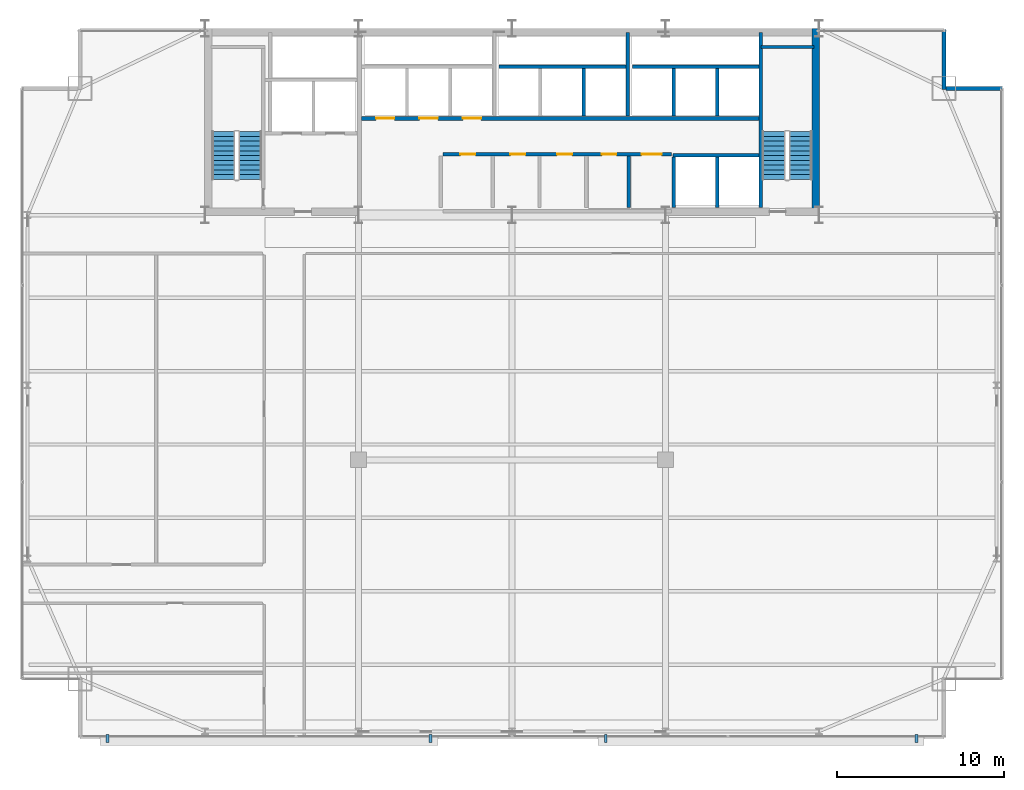
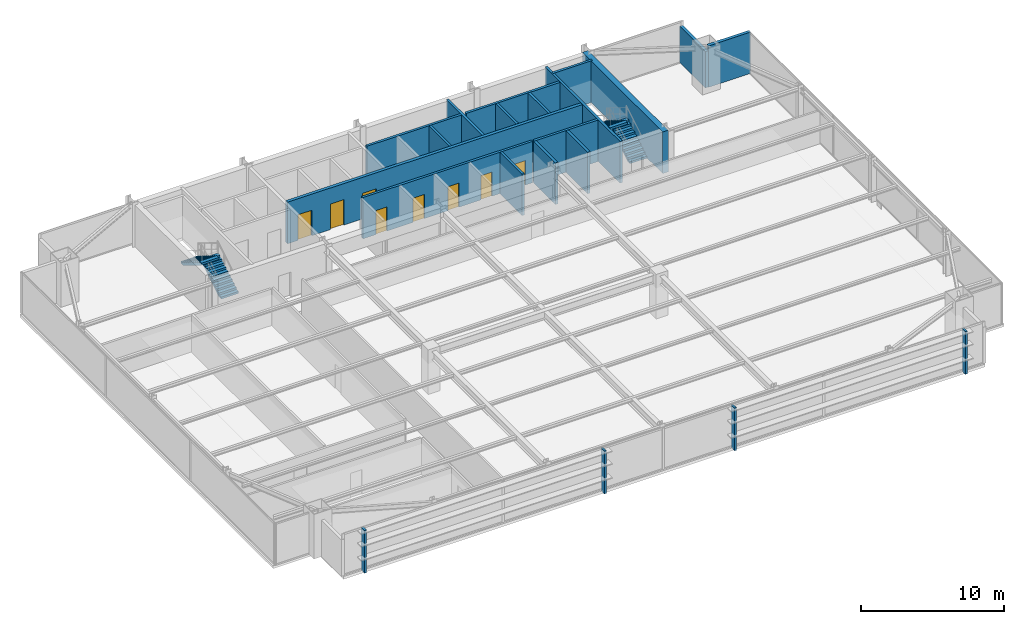
# One storey, part 30 of 32: 17 walls, 8 doors, 4 discrete accessories, 4 stair flights, 8 openings, 2 elements without a shape of their own.
"""IFC4 building model written with IfcOpenShell, lengths in metres."""

import ifcopenshell
import ifcopenshell.guid

model = None  # the IFC model being written
_history = None  # IfcOwnerHistory: only IFC2X3 demands one
_inside = {}  # id of a spatial element -> (the spatial element, [elements in it])
_under = {}  # id of a project, library or spatial element -> (it, [spatial elements below it])
_declared = {}  # id of a project -> (the project, [libraries it declares])
_typed = {}  # id of a type object -> (the type object, [elements of that type])
_made_of = {}  # id of a material, layer set ... -> (it, [elements and type objects made of it])


def new_model(schema):
    """Start an empty IFC model of exactly this schema.

    Asked for "IFC4X3", IfcOpenShell would pick the latest addendum, in which some entities
    have other attributes; the version numbers below select the first issue.
    IFC2X3 requires an IfcOwnerHistory on every rooted entity: one is made here for all.
    """
    global model, _history
    if schema == "IFC4X3":
        model = ifcopenshell.file(schema_version=(4, 3, 0, 0))
    else:
        model = ifcopenshell.file(schema=schema)
    _inside.clear()
    _under.clear()
    _declared.clear()
    _typed.clear()
    _made_of.clear()
    _history = None
    if model.schema == "IFC2X3":
        org = make("IfcOrganization", Name="unknown")
        user = make(
            "IfcPersonAndOrganization",
            ThePerson=make("IfcPerson", FamilyName="unknown"),
            TheOrganization=org,
        )
        app = make(
            "IfcApplication",
            ApplicationDeveloper=org,
            Version="unknown",
            ApplicationFullName="unknown",
            ApplicationIdentifier="unknown",
        )
        _history = make(
            "IfcOwnerHistory",
            OwningUser=user,
            OwningApplication=app,
            ChangeAction="ADDED",
            CreationDate=0,
        )
    return model


def make(cls, **values):
    """One entity of the class cls with the attributes given. An attribute that is None is left unset."""
    return model.create_entity(
        cls, **{name: value for name, value in values.items() if value is not None}
    )


def rooted(cls, **values):
    """An entity with a GlobalId (a new one), such as an element, a storey or a relation."""
    return make(cls, GlobalId=ifcopenshell.guid.new(), OwnerHistory=_history, **values)


def si_unit(unit_type, name, prefix=None):
    """IfcSIUnit, for example si_unit("LENGTHUNIT", "METRE", prefix="MILLI")."""
    return make("IfcSIUnit", UnitType=unit_type, Prefix=prefix, Name=name)


def assignment(units):
    """IfcUnitAssignment: the units of a project."""
    return None if units is None else make("IfcUnitAssignment", Units=units)


def point(xyz):
    """IfcCartesianPoint."""
    return None if xyz is None else make("IfcCartesianPoint", Coordinates=xyz)


def direction(xyz):
    """IfcDirection."""
    return None if xyz is None else make("IfcDirection", DirectionRatios=xyz)


def frame(location, z_axis=None, x_axis=None):
    """IfcAxis2Placement3D, a coordinate frame: its origin and axes. An axis left out is left unset."""
    return make(
        "IfcAxis2Placement3D",
        Location=point(location),
        Axis=direction(z_axis),
        RefDirection=direction(x_axis),
    )


def frame_2d(location, x_axis=None):
    """IfcAxis2Placement2D, a coordinate frame in the plane: its origin and x axis."""
    return make(
        "IfcAxis2Placement2D", Location=point(location), RefDirection=direction(x_axis)
    )


def origin():
    """The frame at (0, 0, 0) with its axes left unset."""
    return frame((0.0, 0.0, 0.0))


def origin_2d():
    """The frame at (0, 0) in the plane with its x axis left unset."""
    return frame_2d((0.0, 0.0))


def place(relative_to, where):
    """IfcLocalPlacement: puts the frame where relative to a parent placement (None: the world)."""
    return make(
        "IfcLocalPlacement", PlacementRelTo=relative_to, RelativePlacement=where
    )


def context(
    kind, dimensions, precision=None, world=None, true_north=None, identifier=None
):
    """IfcGeometricRepresentationContext, for example the 3D "Model" context."""
    return make(
        "IfcGeometricRepresentationContext",
        ContextIdentifier=identifier,
        ContextType=kind,
        CoordinateSpaceDimension=dimensions,
        Precision=precision,
        WorldCoordinateSystem=world,
        TrueNorth=true_north,
    )


def subcontext(parent, identifier, kind, view, scale=None):
    """IfcGeometricRepresentationSubContext, for example "Body" below "Model"."""
    return make(
        "IfcGeometricRepresentationSubContext",
        ContextIdentifier=identifier,
        ContextType=kind,
        ParentContext=parent,
        TargetScale=scale,
        TargetView=view,
    )


def project(units=None, contexts=None):
    """IfcProject with its units and contexts."""
    return rooted(
        "IfcProject",
        Name="project",
        RepresentationContexts=contexts,
        UnitsInContext=assignment(units),
    )


def spatial(cls, under=None, at=None, **own):
    """A site, building, storey or space (cls), placed at a placement, below another one or the project."""
    s = rooted(cls, ObjectPlacement=at, **own)
    if under is not None:
        _under.setdefault(under.id(), (under, []))[1].append(s)
    return s


def polyline(points):
    """IfcPolyline through the points."""
    return make("IfcPolyline", Points=[point(p) for p in points])


def profile(cls, at=None, kind="AREA", **sizes):
    """A parametric profile (cls). Its sizes go by their IFC names, for example OverallWidth=200.0."""
    return make(cls, ProfileType=kind, Position=at, **sizes)


def rectangle(**sizes):
    """IfcRectangleProfileDef."""
    return profile("IfcRectangleProfileDef", **sizes)


def outline(outer, holes=None, kind="AREA"):
    """IfcArbitraryClosedProfileDef: a profile drawn as a closed curve; with holes, ...WithVoids."""
    if holes is None:
        return make("IfcArbitraryClosedProfileDef", ProfileType=kind, OuterCurve=outer)
    return make(
        "IfcArbitraryProfileDefWithVoids",
        ProfileType=kind,
        OuterCurve=outer,
        InnerCurves=holes,
    )


def extrude(swept, where, along, depth):
    """IfcExtrudedAreaSolid: the profile swept, set in the frame where, extruded along a direction by depth."""
    return make(
        "IfcExtrudedAreaSolid",
        SweptArea=swept,
        Position=where,
        ExtrudedDirection=direction(along),
        Depth=depth,
    )


def shape(context_of_items, identifier, shape_type, items):
    """IfcShapeRepresentation: the items that make up one representation, for example the "Body"."""
    return make(
        "IfcShapeRepresentation",
        ContextOfItems=context_of_items,
        RepresentationIdentifier=identifier,
        RepresentationType=shape_type,
        Items=items,
    )


def source(mapping_origin, context_of_items, identifier, shape_type, items):
    """IfcRepresentationMap: a shape defined once, which mapped items show again and again."""
    return make(
        "IfcRepresentationMap",
        MappingOrigin=mapping_origin,
        MappedRepresentation=shape(context_of_items, identifier, shape_type, items),
    )


def transform(
    local_origin,
    x_axis=None,
    y_axis=None,
    z_axis=None,
    scale=None,
    scale2=None,
    scale3=None,
    uniform=True,
):
    """IfcCartesianTransformationOperator3D, or its non-uniform kind. x_axis, y_axis, z_axis: its Axis1, 2, 3."""
    if uniform:
        return make(
            "IfcCartesianTransformationOperator3D",
            Axis1=direction(x_axis),
            Axis2=direction(y_axis),
            LocalOrigin=point(local_origin),
            Scale=scale,
            Axis3=direction(z_axis),
        )
    return make(
        "IfcCartesianTransformationOperator3DnonUniform",
        Axis1=direction(x_axis),
        Axis2=direction(y_axis),
        LocalOrigin=point(local_origin),
        Scale=scale,
        Axis3=direction(z_axis),
        Scale2=scale2,
        Scale3=scale3,
    )


def mapped(mapping_source, mapping_target):
    """IfcMappedItem: shows the shape of a source again, moved by a transform."""
    return make(
        "IfcMappedItem", MappingSource=mapping_source, MappingTarget=mapping_target
    )


def material(Name=None, Category=None):
    """IfcMaterial."""
    return make("IfcMaterial", Name=Name, Category=Category)


def layer(
    of_material, thickness, ventilated=None, Name=None, Category=None, Priority=None
):
    """IfcMaterialLayer: one layer of a wall or slab, of a material (None: an air gap)."""
    return make(
        "IfcMaterialLayer",
        Material=of_material,
        LayerThickness=thickness,
        IsVentilated=ventilated,
        Name=Name,
        Category=Category,
        Priority=Priority,
    )


def layer_set(layers, Name=None):
    """IfcMaterialLayerSet."""
    return make("IfcMaterialLayerSet", MaterialLayers=layers, LayerSetName=Name)


def made_of(thing, what):
    """Note that an element or type object is made of a material, layer set ...; save() writes the relation."""
    if what is not None:
        _made_of.setdefault(what.id(), (what, []))[1].append(thing)
    return thing


def type_object(cls, material=None, **own):
    """A type object (cls), such as IfcWallType, which elements share."""
    return made_of(rooted(cls, **own), material)


def type_shapes(of_type, sources):
    """Give a type object the sources (RepresentationMaps) that its elements show as mapped items."""
    of_type.RepresentationMaps = sources


def element(
    cls,
    number,
    at=None,
    inside=None,
    cuts=None,
    type_object=None,
    material=None,
    context=None,
    identifier="Body",
    shape_type=None,
    held_by="IfcProductDefinitionShape",
    body=None,
    shapes=None,
    **own,
):
    """One element of the class cls, such as IfcWall. Its Tag is "e" and its number.

    at: its placement. inside: the storey or other place that contains it. cuts: it is an
    opening in that element (IfcRelVoidsElement). A single representation is given by context,
    identifier, shape_type and body (its items); several are given by shapes. held_by: the class
    of the entity that holds the representations. save() writes the other relations.
    """
    e = rooted(cls, Tag="e%d" % number, ObjectPlacement=at, **own)
    if body is not None:
        shapes = [shape(context, identifier, shape_type, body)]
    if shapes is not None:
        e.Representation = make(held_by, Representations=shapes)
    if inside is not None:
        _inside.setdefault(inside.id(), (inside, []))[1].append(e)
    if cuts is not None:
        rooted(
            "IfcRelVoidsElement", RelatingBuildingElement=cuts, RelatedOpeningElement=e
        )
    if type_object is not None:
        _typed.setdefault(type_object.id(), (type_object, []))[1].append(e)
    return made_of(e, material)


def fill(opening, filler):
    """IfcRelFillsElement: the door or window that sits in an opening."""
    return rooted(
        "IfcRelFillsElement",
        RelatingOpeningElement=opening,
        RelatedBuildingElement=filler,
    )


def aggregate(whole, parts):
    """IfcRelAggregates: a whole, such as a stair, and the parts it consists of."""
    return rooted("IfcRelAggregates", RelatingObject=whole, RelatedObjects=parts)


def save(model, path):
    """Write the relations noted so far, then the file.

    IfcRelAggregates (storeys below a building ...), IfcRelContainedInSpatialStructure (elements
    in a storey), IfcRelDefinesByType, IfcRelAssociatesMaterial and IfcRelDeclares: one each for
    every whole, place, type object, material and project.
    """
    for whole, parts in _under.values():
        aggregate(whole, parts)
    for where, things in _inside.values():
        rooted(
            "IfcRelContainedInSpatialStructure",
            RelatedElements=things,
            RelatingStructure=where,
        )
    for kind, things in _typed.values():
        rooted("IfcRelDefinesByType", RelatedObjects=things, RelatingType=kind)
    for what, things in _made_of.values():
        rooted("IfcRelAssociatesMaterial", RelatedObjects=things, RelatingMaterial=what)
    for by, libraries in _declared.values():
        rooted("IfcRelDeclares", RelatingContext=by, RelatedDefinitions=libraries)
    model.write(path)


model = new_model("IFC4")

# Units and contexts
model_context = context("Model", 3, precision=1e-05, world=origin(), true_north=direction((0.0, 1.0)))
body_context = subcontext(model_context, "Body", "Model", "MODEL_VIEW")
ifc_project = project(units=[si_unit("LENGTHUNIT", "METRE"), si_unit("AREAUNIT", "SQUARE_METRE"), si_unit("VOLUMEUNIT", "CUBIC_METRE"), si_unit("PLANEANGLEUNIT", "RADIAN"), si_unit("MASSUNIT", "GRAM", prefix="KILO")], contexts=[model_context])

# Site, building, storey
site_placement = place(None, origin())
site = spatial("IfcSite", under=ifc_project, at=site_placement, CompositionType="ELEMENT")
building_placement = place(site_placement, origin())
building = spatial("IfcBuilding", under=site, at=building_placement, Name="Varnel Quay Broadcast Tower", CompositionType="ELEMENT")
storey_placement = place(building_placement, frame((0.0, 0.0, 90.800048828125)))
storey = spatial("IfcBuildingStorey", under=building, at=storey_placement, Name="L21", CompositionType="ELEMENT", Elevation=90.800048828125)

# Walls
ifc_material_1 = material(Name="Concrete CSA A23.3 C50/60", Category="concrete")
ifc_layer_1 = layer(ifc_material_1, 0.199951171875, Name="Concrete CSA A23.3 C50/60")
ifc_layer_set_1 = layer_set([ifc_layer_1], Name="Concrete CSA A23.3 C50/60")
wall_type_1 = type_object("IfcWallType", Name="Wall_CoreShaftShear200", PredefinedType="SHEAR", material=ifc_layer_set_1)
wall_1_placement = place(storey_placement, frame((48.919921875, 36.050048828125, 0.0), z_axis=(0.0, 0.0, 1.0), x_axis=(0.0, 1.0, 0.0)))
element("IfcWall", 1, at=wall_1_placement, inside=storey, type_object=wall_type_1, Name="L21 Stair 2 West Structural Wall", PredefinedType="SHEAR", context=body_context, shape_type="SweptSolid", body=[
    extrude(rectangle(XDim=10.5, YDim=0.199951171875, at=frame_2d((5.25, 0.0))), origin(), (0.0, 0.0, 1.0), 3.550048828125),
])
wall_2_placement = place(storey_placement, frame((48.919921875, 45.679931640625, 0.0), z_axis=(0.0, 0.0, 1.0), x_axis=(1.0, 0.0, 0.0)))
element("IfcWall", 2, at=wall_2_placement, inside=storey, type_object=wall_type_1, Name="L21 Stair 2 North Structural Wall", PredefinedType="SHEAR", context=body_context, shape_type="SweptSolid", body=[
    extrude(rectangle(XDim=3.18017578125, YDim=0.199951171875, at=frame_2d((1.590087890625, 0.0))), origin(), (0.0, 0.0, 1.0), 3.550048828125),
])
wall_3_placement = place(storey_placement, frame((33.219970703125, 44.5, 0.0), z_axis=(0.0, 0.0, 1.0), x_axis=(1.0, 0.0, 0.0)))
element("IfcWall", 3, at=wall_3_placement, inside=storey, type_object=wall_type_1, Name="L21 Mid-Rise Lift Shaft Rear Wall", PredefinedType="SHEAR", context=body_context, shape_type="SweptSolid", body=[
    extrude(rectangle(XDim=7.630126953125, YDim=0.199951171875, at=frame_2d((3.81494140625, 0.0))), origin(), (0.0, 0.0, 1.0), 3.550048828125),
])
wall_4_placement = place(storey_placement, frame((38.300048828125, 41.530029296875, 0.0), z_axis=(0.0, 0.0, 1.0), x_axis=(0.0, 1.0, 0.0)))
element("IfcWall", 4, at=wall_4_placement, inside=storey, type_object=wall_type_1, Name="L21 Mid-Rise Lift Shaft Divider 3", PredefinedType="SHEAR", context=body_context, shape_type="SweptSolid", body=[
    extrude(rectangle(XDim=2.869873046875, YDim=0.199951171875, at=frame_2d((1.43505859375, 0.0))), origin(), (0.0, 0.0, 1.0), 3.550048828125),
])
wall_5_placement = place(storey_placement, frame((40.949951171875, 41.530029296875, 0.0), z_axis=(0.0, 0.0, 1.0), x_axis=(0.0, 1.0, 0.0)))
element("IfcWall", 5, at=wall_5_placement, inside=storey, type_object=wall_type_1, Name="L21 Mid-Rise Lift Shaft Divider 4", PredefinedType="SHEAR", context=body_context, shape_type="SweptSolid", body=[
    extrude(rectangle(XDim=5.02001953125, YDim=0.199951171875, at=frame_2d((2.510009765625, 0.0))), origin(), (0.0, 0.0, 1.0), 3.550048828125),
])
wall_6_placement = place(storey_placement, frame((41.219970703125, 44.5, 0.0), z_axis=(0.0, 0.0, 1.0), x_axis=(1.0, 0.0, 0.0)))
element("IfcWall", 6, at=wall_6_placement, inside=storey, type_object=wall_type_1, Name="L21 High-Rise Lift Shaft Rear Wall", PredefinedType="SHEAR", context=body_context, shape_type="SweptSolid", body=[
    extrude(rectangle(XDim=7.580078125, YDim=0.199951171875, at=frame_2d((3.7900390625, 0.0))), origin(), (0.0, 0.0, 1.0), 3.550048828125),
])
for number, where, z_axis, x_axis, name in (
    (7, (43.699951171875, 41.530029296875, 0.0), (0.0, 0.0, 1.0), (0.0, 1.0, 0.0), "L21 High-Rise Lift Shaft Divider 2"),
    (8, (46.300048828125, 41.530029296875, 0.0), (0.0, 0.0, 1.0), (0.0, 1.0, 0.0), "L21 High-Rise Lift Shaft Divider 3"),
):
    element("IfcWall", number, at=place(storey_placement, frame(where, z_axis=z_axis, x_axis=x_axis)), inside=storey, type_object=wall_type_1, Name=name, PredefinedType="SHEAR", context=body_context, shape_type="SweptSolid", body=[
        extrude(rectangle(XDim=2.869873046875, YDim=0.199951171875, at=frame_2d((1.43505859375, 0.0))), origin(), (0.0, 0.0, 1.0), 3.550048828125),
    ])
for number, where, z_axis, x_axis, name in (
    (9, (43.699951171875, 36.050048828125, 0.0), (0.0, 0.0, 1.0), (0.0, 1.0, 0.0), "L21 Express Lift Shaft West Wall"),
    (10, (46.300048828125, 36.050048828125, 0.0), (0.0, 0.0, 1.0), (0.0, 1.0, 0.0), "L21 Express Lift Shaft Divider"),
):
    element("IfcWall", number, at=place(storey_placement, frame(where, z_axis=z_axis, x_axis=x_axis)), inside=storey, type_object=wall_type_1, Name=name, PredefinedType="SHEAR", context=body_context, shape_type="SweptSolid", body=[
        extrude(rectangle(XDim=3.050048828125, YDim=0.199951171875, at=frame_2d((1.52490234375, 0.0))), origin(), (0.0, 0.0, 1.0), 3.550048828125),
    ])
wall_7_placement = place(storey_placement, frame((43.64990234375, 39.199951171875, 0.0), z_axis=(0.0, 0.0, 1.0), x_axis=(1.0, 0.0, 0.0)))
element("IfcWall", 11, at=wall_7_placement, inside=storey, type_object=wall_type_1, Name="L21 Express Lift Shaft North Front Wall", PredefinedType="SHEAR", context=body_context, shape_type="SweptSolid", body=[
    extrude(rectangle(XDim=5.150146484375, YDim=0.199951171875, at=frame_2d((2.5751953125, 0.0))), origin(), (0.0, 0.0, 1.0), 3.550048828125),
])

# Wall, openings, doors
ifc_layer_2 = layer(ifc_material_1, 0.25, Name="Concrete CSA A23.3 C50/60")
ifc_layer_set_2 = layer_set([ifc_layer_2], Name="Concrete CSA A23.3 C50/60")
wall_type_2 = type_object("IfcWallType", Name="Wall_CoreShaftShear250", PredefinedType="SHEAR", material=ifc_layer_set_2)
wall_8_placement = place(storey_placement, frame((24.97998046875, 41.39990234375, 0.0), z_axis=(0.0, 0.0, 1.0), x_axis=(1.0, 0.0, 0.0)))
wall_8 = element("IfcWall", 12, at=wall_8_placement, inside=storey, type_object=wall_type_2, Name="L21 North Lift Bank & Reclaimed Suite Wall", PredefinedType="SHEAR", context=body_context, shape_type="SweptSolid", body=[
    extrude(rectangle(XDim=23.820068359375, YDim=0.25, at=frame_2d((11.91015625, 0.0))), origin(), (0.0, 0.0, 1.0), 3.550048828125),
])
opening_1_placement = place(wall_8_placement, frame((0.8701171875, 0.0, 0.0)))
opening_1 = element("IfcOpeningElement", 13, at=opening_1_placement, cuts=wall_8, Name="Opening LD-L21-PL-01", PredefinedType="OPENING", context=body_context, shape_type="SweptSolid", body=[
    extrude(rectangle(XDim=1.10009765625, YDim=2.179931640625, at=frame_2d((0.550048828125, 1.08984375))), frame((0.0, 0.135009765625, 0.0), z_axis=(0.0, -1.0, 0.0), x_axis=(1.0, 0.0, 0.0)), (0.0, 0.0, 1.0), 0.27001953125),
])
opening_2_placement = place(wall_8_placement, frame((3.469970703125, 0.0, 0.0)))
opening_2 = element("IfcOpeningElement", 14, at=opening_2_placement, cuts=wall_8, Name="Opening LD-L21-PL-02", PredefinedType="OPENING", context=body_context, shape_type="SweptSolid", body=[
    extrude(rectangle(XDim=1.10009765625, YDim=2.179931640625, at=frame_2d((0.550048828125, 1.08984375))), frame((0.0, 0.135009765625, 0.0), z_axis=(0.0, -1.0, 0.0), x_axis=(1.0, 0.0, 0.0)), (0.0, 0.0, 1.0), 0.27001953125),
])
opening_3_placement = place(wall_8_placement, frame((6.070068359375, 0.0, 0.0)))
opening_3 = element("IfcOpeningElement", 15, at=opening_3_placement, cuts=wall_8, Name="Opening LD-L21-PL-03", PredefinedType="OPENING", context=body_context, shape_type="SweptSolid", body=[
    extrude(rectangle(XDim=1.10009765625, YDim=2.179931640625, at=frame_2d((0.550048828125, 1.08984375))), frame((0.0, 0.135009765625, 0.0), z_axis=(0.0, -1.0, 0.0), x_axis=(1.0, 0.0, 0.0)), (0.0, 0.0, 1.0), 0.27001953125),
])
ifc_material_2 = material(Name="Brushed Bronze-Stainless Lift Car & Sliding Doors", Category="steel")
door_type_1 = type_object("IfcDoorType", Name="Door_LiftLanding1100", OperationType="SLIDING_TO_LEFT", PredefinedType="DOOR", material=ifc_material_2)
shared_shape_1 = source(origin(), body_context, "Body", "SweptSolid", [
    extrude(rectangle(XDim=1.10009765625, YDim=2.179931640625, at=frame_2d((0.550048828125, 1.08984375))), frame((0.0, 0.02490234375, 0.0), z_axis=(0.0, -1.0, 0.0), x_axis=(1.0, 0.0, 0.0)), (0.0, 0.0, 1.0), 0.050048828125),
])
type_shapes(door_type_1, [shared_shape_1])
door_1_placement = place(opening_1_placement, frame((1.10009765625, 0.0, 0.0), z_axis=(0.0, 0.0, 1.0), x_axis=(-1.0, 0.0, 0.0)))
door_1 = element("IfcDoor", 16, at=door_1_placement, inside=storey, type_object=door_type_1, Name="L21 Lift PL-01 Landing Door", OperationType="SLIDING_TO_LEFT", OverallHeight=2.179931640625, OverallWidth=1.10009765625, PredefinedType="DOOR", context=body_context, shape_type="MappedRepresentation", body=[
    mapped(shared_shape_1, transform((0.0, 0.0, 0.0), x_axis=(1.0, 0.0, 0.0), y_axis=(0.0, 1.0, 0.0), z_axis=(0.0, 0.0, 1.0), scale=1.0)),
])
fill(opening_1, door_1)
door_2_placement = place(opening_2_placement, frame((1.10009765625, 0.0, 0.0), z_axis=(0.0, 0.0, 1.0), x_axis=(-1.0, 0.0, 0.0)))
door_2 = element("IfcDoor", 17, at=door_2_placement, inside=storey, type_object=door_type_1, Name="L21 Lift PL-02 Landing Door", OperationType="SLIDING_TO_LEFT", OverallHeight=2.179931640625, OverallWidth=1.10009765625, PredefinedType="DOOR", context=body_context, shape_type="MappedRepresentation", body=[
    mapped(shared_shape_1, transform((0.0, 0.0, 0.0), x_axis=(1.0, 0.0, 0.0), y_axis=(0.0, 1.0, 0.0), z_axis=(0.0, 0.0, 1.0), scale=1.0)),
])
fill(opening_2, door_2)
door_3_placement = place(opening_3_placement, frame((1.10009765625, 0.0, 0.0), z_axis=(0.0, 0.0, 1.0), x_axis=(-1.0, 0.0, 0.0)))
door_3 = element("IfcDoor", 18, at=door_3_placement, inside=storey, type_object=door_type_1, Name="L21 Lift PL-03 Landing Door", OperationType="SLIDING_TO_LEFT", OverallHeight=2.179931640625, OverallWidth=1.10009765625, PredefinedType="DOOR", context=body_context, shape_type="MappedRepresentation", body=[
    mapped(shared_shape_1, transform((0.0, 0.0, 0.0), x_axis=(1.0, 0.0, 0.0), y_axis=(0.0, 1.0, 0.0), z_axis=(0.0, 0.0, 1.0), scale=1.0)),
])
fill(opening_3, door_3)

# Walls
ifc_material_3 = material(Name="Concrete CSA A23.3 C60/75", Category="concrete")
ifc_layer_3 = layer(ifc_material_3, 0.449951171875, Name="Concrete CSA A23.3 C60/75")
ifc_layer_set_3 = layer_set([ifc_layer_3], Name="Concrete CSA A23.3 C60/75")
wall_type_3 = type_object("IfcWallType", Name="Wall_CoreShearInt450", PredefinedType="SHEAR", material=ifc_layer_set_3)
wall_9_placement = place(storey_placement, frame((52.205078125, 35.570068359375, 0.0), z_axis=(0.0, 0.0, 1.0), x_axis=(0.0, 1.0, 0.0)))
element("IfcWall", 19, at=wall_9_placement, inside=storey, type_object=wall_type_3, Name="L21 East Core Shear Wall", PredefinedType="SHEAR", context=body_context, shape_type="SweptSolid", body=[
    extrude(rectangle(XDim=11.22998046875, YDim=0.449951171875, at=frame_2d((5.614990234375, 0.0))), origin(), (0.0, 0.0, 1.0), 3.550048828125),
])
ifc_material_4 = material(Name="Precast Architectural Concrete C40/50", Category="concrete")
ifc_layer_4 = layer(ifc_material_4, 0.25, Name="Precast Architectural Concrete C40/50")
ifc_layer_set_4 = layer_set([ifc_layer_4], Name="Precast Architectural Concrete C40/50")
wall_type_4 = type_object("IfcWallType", Name="Wall_ExtTerrace250", PredefinedType="SOLIDWALL", material=ifc_layer_set_4)
wall_10_placement = place(storey_placement, frame((60.030029296875, 43.199951171875, 0.0), z_axis=(0.0, 0.0, 1.0), x_axis=(1.0, 0.0, 0.0)))
element("IfcWall", 20, at=wall_10_placement, inside=storey, type_object=wall_type_4, Name="L21 Mega-Column Notch Cladding Wall NNE1", PredefinedType="SOLIDWALL", context=body_context, shape_type="SweptSolid", body=[
    extrude(rectangle(XDim=3.389892578125, YDim=0.25, at=frame_2d((1.69482421875, 0.0))), origin(), (0.0, 0.0, 1.0), 3.530029296875),
])
wall_11_placement = place(storey_placement, frame((59.89990234375, 43.1201171875, 0.0), z_axis=(0.0, 0.0, 1.0), x_axis=(0.0, 1.0, 0.0)))
element("IfcWall", 21, at=wall_11_placement, inside=storey, type_object=wall_type_4, Name="L21 Mega-Column Notch Cladding Wall NNE2", PredefinedType="SOLIDWALL", context=body_context, shape_type="SweptSolid", body=[
    extrude(rectangle(XDim=3.599853515625, YDim=0.25, at=frame_2d((1.7998046875, 0.0))), origin(), (0.0, 0.0, 1.0), 3.10791015625),
])

# Wall, openings, doors
ifc_material_5 = material(Name="Concrete Blockwork Fire Enclosure C40/50", Category="masonry")
ifc_layer_5 = layer(ifc_material_5, 0.199951171875, Name="Concrete Blockwork Fire Enclosure C40/50")
ifc_layer_set_5 = layer_set([ifc_layer_5], Name="Concrete Blockwork Fire Enclosure C40/50")
wall_type_5 = type_object("IfcWallType", Name="Wall_FireShaft200", PredefinedType="SOLIDWALL", material=ifc_layer_set_5)
wall_12_placement = place(storey_placement, frame((29.85009765625, 39.25, 0.0), z_axis=(0.0, 0.0, 1.0), x_axis=(1.0, 0.0, 0.0)))
wall_12 = element("IfcWall", 22, at=wall_12_placement, inside=storey, type_object=wall_type_5, Name="L21 Accessible Washroom Partition 3", PredefinedType="SOLIDWALL", context=body_context, shape_type="SweptSolid", body=[
    extrude(rectangle(XDim=13.699951171875, YDim=0.199951171875, at=frame_2d((6.85009765625, 0.0))), origin(), (0.0, 0.0, 1.0), 3.530029296875),
])
opening_4_placement = place(wall_12_placement, frame((1.050048828125, 0.0, 0.0)))
opening_4 = element("IfcOpeningElement", 23, at=opening_4_placement, cuts=wall_12, Name="Opening D-L21-01", PredefinedType="OPENING", context=body_context, shape_type="SweptSolid", body=[
    extrude(rectangle(XDim=0.89990234375, YDim=2.06005859375, at=frame_2d((0.449951171875, 1.030029296875))), frame((0.0, 0.10986328125, 0.0), z_axis=(0.0, -1.0, 0.0), x_axis=(1.0, 0.0, 0.0)), (0.0, 0.0, 1.0), 0.219970703125),
])
opening_5_placement = place(wall_12_placement, frame((4.050048828125, 0.0, 0.0)))
opening_5 = element("IfcOpeningElement", 24, at=opening_5_placement, cuts=wall_12, Name="Opening D-L21-02", PredefinedType="OPENING", context=body_context, shape_type="SweptSolid", body=[
    extrude(rectangle(XDim=0.89990234375, YDim=2.06005859375, at=frame_2d((0.449951171875, 1.030029296875))), frame((0.0, 0.10986328125, 0.0), z_axis=(0.0, -1.0, 0.0), x_axis=(1.0, 0.0, 0.0)), (0.0, 0.0, 1.0), 0.219970703125),
])
opening_6_placement = place(wall_12_placement, frame((6.85009765625, 0.0, 0.0)))
opening_6 = element("IfcOpeningElement", 25, at=opening_6_placement, cuts=wall_12, Name="Opening D-L21-03", PredefinedType="OPENING", context=body_context, shape_type="SweptSolid", body=[
    extrude(rectangle(XDim=0.89990234375, YDim=2.06005859375, at=frame_2d((0.449951171875, 1.030029296875))), frame((0.0, 0.10986328125, 0.0), z_axis=(0.0, -1.0, 0.0), x_axis=(1.0, 0.0, 0.0)), (0.0, 0.0, 1.0), 0.219970703125),
])
opening_7_placement = place(wall_12_placement, frame((9.534912109375, 0.0, 0.0)))
opening_7 = element("IfcOpeningElement", 26, at=opening_7_placement, cuts=wall_12, Name="Opening D-L21-04", PredefinedType="OPENING", context=body_context, shape_type="SweptSolid", body=[
    extrude(rectangle(XDim=0.8798828125, YDim=2.06005859375, at=frame_2d((0.43994140625, 1.030029296875))), frame((0.0, 0.10986328125, 0.0), z_axis=(0.0, -1.0, 0.0), x_axis=(1.0, 0.0, 0.0)), (0.0, 0.0, 1.0), 0.219970703125),
])
opening_8_placement = place(wall_12_placement, frame((11.925048828125, 0.0, 0.0)))
opening_8 = element("IfcOpeningElement", 27, at=opening_8_placement, cuts=wall_12, Name="Opening D-L21-05", PredefinedType="OPENING", context=body_context, shape_type="SweptSolid", body=[
    extrude(rectangle(XDim=1.199951171875, YDim=2.10009765625, at=frame_2d((0.60009765625, 1.050048828125))), frame((0.0, 0.10986328125, 0.0), z_axis=(0.0, -1.0, 0.0), x_axis=(1.0, 0.0, 0.0)), (0.0, 0.0, 1.0), 0.219970703125),
])
ifc_material_6 = material(Name="Solid-Core Fire-Rated Acoustic Oak Veneer Door", Category="wood")
door_type_2 = type_object("IfcDoorType", Name="Door_Washroom900", OperationType="NOTDEFINED", PredefinedType="DOOR", material=ifc_material_6)
shared_shape_2 = source(origin(), body_context, "Body", "SweptSolid", [
    extrude(rectangle(XDim=0.89990234375, YDim=2.06005859375, at=frame_2d((0.449951171875, 1.030029296875))), frame((0.0, 0.02490234375, 0.0), z_axis=(0.0, -1.0, 0.0), x_axis=(1.0, 0.0, 0.0)), (0.0, 0.0, 1.0), 0.050048828125),
])
type_shapes(door_type_2, [shared_shape_2])
door_4_placement = place(opening_4_placement, frame((0.89990234375, 0.0, 0.0), z_axis=(0.0, 0.0, 1.0), x_axis=(-1.0, 0.0, 0.0)))
door_4 = element("IfcDoor", 28, at=door_4_placement, inside=storey, type_object=door_type_2, Name="L21 Accessible Washroom Door D-L21-01", OperationType="SINGLE_SWING_RIGHT", OverallHeight=2.06005859375, OverallWidth=0.89990234375, PredefinedType="DOOR", context=body_context, shape_type="MappedRepresentation", body=[
    mapped(shared_shape_2, transform((0.0, 0.0, 0.0), x_axis=(1.0, 0.0, 0.0), y_axis=(0.0, 1.0, 0.0), z_axis=(0.0, 0.0, 1.0), scale=1.0)),
])
fill(opening_4, door_4)
door_5_placement = place(opening_5_placement, frame((0.89990234375, 0.0, 0.0), z_axis=(0.0, 0.0, 1.0), x_axis=(-1.0, 0.0, 0.0)))
door_5 = element("IfcDoor", 29, at=door_5_placement, inside=storey, type_object=door_type_2, Name="L21 West Gender-Neutral Washroom Door D-L21-02", OperationType="SINGLE_SWING_LEFT", OverallHeight=2.06005859375, OverallWidth=0.89990234375, PredefinedType="DOOR", context=body_context, shape_type="MappedRepresentation", body=[
    mapped(shared_shape_2, transform((0.0, 0.0, 0.0), x_axis=(1.0, 0.0, 0.0), y_axis=(0.0, 1.0, 0.0), z_axis=(0.0, 0.0, 1.0), scale=1.0)),
])
fill(opening_5, door_5)
door_6_placement = place(opening_6_placement, frame((0.89990234375, 0.0, 0.0), z_axis=(0.0, 0.0, 1.0), x_axis=(-1.0, 0.0, 0.0)))
door_6 = element("IfcDoor", 30, at=door_6_placement, inside=storey, type_object=door_type_2, Name="L21 East Staff Washroom Door D-L21-03", OperationType="SINGLE_SWING_RIGHT", OverallHeight=2.06005859375, OverallWidth=0.89990234375, PredefinedType="DOOR", context=body_context, shape_type="MappedRepresentation", body=[
    mapped(shared_shape_2, transform((0.0, 0.0, 0.0), x_axis=(1.0, 0.0, 0.0), y_axis=(0.0, 1.0, 0.0), z_axis=(0.0, 0.0, 1.0), scale=1.0)),
])
fill(opening_6, door_6)
ifc_material_7 = material(Name="Insulated Fire-Rated Hollow Steel Door", Category="steel")
door_type_3 = type_object("IfcDoorType", Name="Door_Plant1200", OperationType="NOTDEFINED", PredefinedType="DOOR", material=ifc_material_7)
shared_shape_3 = source(origin(), body_context, "Body", "SweptSolid", [
    extrude(rectangle(XDim=1.199951171875, YDim=2.10009765625, at=frame_2d((0.60009765625, 1.050048828125))), frame((0.0, 0.02490234375, 0.0), z_axis=(0.0, -1.0, 0.0), x_axis=(1.0, 0.0, 0.0)), (0.0, 0.0, 1.0), 0.050048828125),
])
type_shapes(door_type_3, [shared_shape_3])
door_7_placement = place(opening_8_placement, origin())
door_7 = element("IfcDoor", 31, at=door_7_placement, inside=storey, type_object=door_type_3, Name="L21 Telecom IDF Closet Door D-L21-05", OperationType="SINGLE_SWING_RIGHT", OverallHeight=2.10009765625, OverallWidth=1.199951171875, PredefinedType="DOOR", context=body_context, shape_type="MappedRepresentation", body=[
    mapped(shared_shape_3, transform((0.0, 0.0, 0.0), x_axis=(1.0, 0.0, 0.0), y_axis=(0.0, 1.0, 0.0), z_axis=(0.0, 0.0, 1.0), scale=1.0)),
])
fill(opening_8, door_7)
door_type_4 = type_object("IfcDoorType", Name="Door_Booth880", OperationType="NOTDEFINED", PredefinedType="DOOR", material=ifc_material_6)
shared_shape_4 = source(origin(), body_context, "Body", "SweptSolid", [
    extrude(rectangle(XDim=0.8798828125, YDim=2.06005859375, at=frame_2d((0.43994140625, 1.030029296875))), frame((0.0, 0.02490234375, 0.0), z_axis=(0.0, -1.0, 0.0), x_axis=(1.0, 0.0, 0.0)), (0.0, 0.0, 1.0), 0.050048828125),
])
type_shapes(door_type_4, [shared_shape_4])
door_8_placement = place(opening_7_placement, frame((0.8798828125, 0.0, 0.0), z_axis=(0.0, 0.0, 1.0), x_axis=(-1.0, 0.0, 0.0)))
door_8 = element("IfcDoor", 32, at=door_8_placement, inside=storey, type_object=door_type_4, Name="L21 Cleaners' & Linen Store Door D-L21-04", OperationType="SINGLE_SWING_LEFT", OverallHeight=2.06005859375, OverallWidth=0.8798828125, PredefinedType="DOOR", context=body_context, shape_type="MappedRepresentation", body=[
    mapped(shared_shape_4, transform((0.0, 0.0, 0.0), x_axis=(1.0, 0.0, 0.0), y_axis=(0.0, 1.0, 0.0), z_axis=(0.0, 0.0, 1.0), scale=1.0)),
])
fill(opening_7, door_8)

# Wall
wall_13_placement = place(storey_placement, frame((41.0, 36.050048828125, 0.0), z_axis=(0.0, 0.0, 1.0), x_axis=(0.0, 1.0, 0.0)))
element("IfcWall", 33, at=wall_13_placement, inside=storey, type_object=wall_type_5, Name="L21 Cleaners' & Linen Store Partition 7", PredefinedType="SOLIDWALL", context=body_context, shape_type="SweptSolid", body=[
    extrude(rectangle(XDim=3.099853515625, YDim=0.199951171875, at=frame_2d((1.5498046875, 0.0))), origin(), (0.0, 0.0, 1.0), 3.530029296875),
])

# Stair, stair flights
ifc_material_8 = material(Name="Precast Structural Concrete C40/50", Category="concrete")
stair_type_1 = type_object("IfcStairType", Name="Stair_ST-01", PredefinedType="HALF_TURN_STAIR", material=ifc_material_8)
stair_1_placement = place(storey_placement, origin())
stair_1 = element("IfcStair", 34, at=stair_1_placement, inside=storey, type_object=stair_type_1, Name="L21 West Core Exit Stair 1", PredefinedType="HALF_TURN_STAIR")
stair_flight_type_1 = type_object("IfcStairFlightType", Name="Flight_ST-01", PredefinedType="STRAIGHT", material=ifc_material_8)
stair_flight_1_placement = place(storey_placement, frame((18.300048828125, 37.75, 0.0), z_axis=(0.0, 0.0, 1.0), x_axis=(0.0, 1.0, 0.0)))
stair_flight_1 = element("IfcStairFlight", 35, at=stair_flight_1_placement, type_object=stair_flight_type_1, Name="ST-01 flight 1", NumberOfRisers=11, NumberOfTreads=10, PredefinedType="STRAIGHT", RiserHeight=0.172727273, TreadLength=0.285, context=body_context, shape_type="SweptSolid", body=[
    extrude(outline(polyline([(0.0, 0.0), (0.0, 0.172607421875), (0.284912109375, 0.172607421875), (0.284912109375, 0.345458984375), (0.570068359375, 0.345458984375), (0.570068359375, 0.51806640625), (0.85498046875, 0.51806640625), (0.85498046875, 0.69091796875), (1.139892578125, 0.69091796875), (1.139892578125, 0.863525390625), (1.425048828125, 0.863525390625), (1.425048828125, 1.036376953125), (1.7099609375, 1.036376953125), (1.7099609375, 1.208984375), (1.9951171875, 1.208984375), (1.9951171875, 1.3818359375), (2.280029296875, 1.3818359375), (2.280029296875, 1.554443359375), (2.56494140625, 1.554443359375), (2.56494140625, 1.727294921875), (2.85009765625, 1.727294921875), (2.85009765625, 1.89990234375), (2.85009765625, 1.552001953125), (0.289306640625, 0.0), (0.0, 0.0)])), frame((0.0, 0.699951171875, 0.0), z_axis=(0.0, -1.0, 0.0), x_axis=(1.0, 0.0, 0.0)), (0.0, 0.0, 1.0), 1.39990234375),
])
stair_flight_2_placement = place(storey_placement, frame((16.699951171875, 40.60009765625, 1.89990234375), z_axis=(0.0, 0.0, 1.0), x_axis=(0.0, -1.0, 0.0)))
stair_flight_2 = element("IfcStairFlight", 36, at=stair_flight_2_placement, type_object=stair_flight_type_1, Name="ST-01 flight 2", NumberOfRisers=11, NumberOfTreads=10, PredefinedType="STRAIGHT", RiserHeight=0.172727273, TreadLength=0.285, context=body_context, shape_type="SweptSolid", body=[
    extrude(outline(polyline([(0.0, 0.0), (0.0, 0.172607421875), (0.284912109375, 0.172607421875), (0.284912109375, 0.345458984375), (0.570068359375, 0.345458984375), (0.570068359375, 0.51806640625), (0.85498046875, 0.51806640625), (0.85498046875, 0.69091796875), (1.139892578125, 0.69091796875), (1.139892578125, 0.863525390625), (1.425048828125, 0.863525390625), (1.425048828125, 1.036376953125), (1.7099609375, 1.036376953125), (1.7099609375, 1.208984375), (1.9951171875, 1.208984375), (1.9951171875, 1.3818359375), (2.280029296875, 1.3818359375), (2.280029296875, 1.554443359375), (2.56494140625, 1.554443359375), (2.56494140625, 1.727294921875), (2.85009765625, 1.727294921875), (2.85009765625, 1.89990234375), (2.85009765625, 1.552001953125), (0.289306640625, 0.0), (0.0, 0.0)])), frame((0.0, 0.699951171875, 0.0), z_axis=(0.0, -1.0, 0.0), x_axis=(1.0, 0.0, 0.0)), (0.0, 0.0, 1.0), 1.39990234375),
])
aggregate(stair_1, [stair_flight_1, stair_flight_2])

stair_type_2 = type_object("IfcStairType", Name="Stair_ST-02", PredefinedType="HALF_TURN_STAIR", material=ifc_material_8)
stair_2_placement = place(storey_placement, origin())
stair_2 = element("IfcStair", 37, at=stair_2_placement, inside=storey, type_object=stair_type_2, Name="L21 East Core Exit Stair 2", PredefinedType="HALF_TURN_STAIR")
stair_flight_type_2 = type_object("IfcStairFlightType", Name="Flight_ST-02", PredefinedType="STRAIGHT", material=ifc_material_8)
stair_flight_3_placement = place(storey_placement, frame((51.300048828125, 37.75, 0.0), z_axis=(0.0, 0.0, 1.0), x_axis=(0.0, 1.0, 0.0)))
stair_flight_3 = element("IfcStairFlight", 38, at=stair_flight_3_placement, type_object=stair_flight_type_2, Name="ST-02 flight 1", NumberOfRisers=11, NumberOfTreads=10, PredefinedType="STRAIGHT", RiserHeight=0.172727273, TreadLength=0.285, context=body_context, shape_type="SweptSolid", body=[
    extrude(outline(polyline([(0.0, 0.0), (0.0, 0.172607421875), (0.284912109375, 0.172607421875), (0.284912109375, 0.345458984375), (0.570068359375, 0.345458984375), (0.570068359375, 0.51806640625), (0.85498046875, 0.51806640625), (0.85498046875, 0.69091796875), (1.139892578125, 0.69091796875), (1.139892578125, 0.863525390625), (1.425048828125, 0.863525390625), (1.425048828125, 1.036376953125), (1.7099609375, 1.036376953125), (1.7099609375, 1.208984375), (1.9951171875, 1.208984375), (1.9951171875, 1.3818359375), (2.280029296875, 1.3818359375), (2.280029296875, 1.554443359375), (2.56494140625, 1.554443359375), (2.56494140625, 1.727294921875), (2.85009765625, 1.727294921875), (2.85009765625, 1.89990234375), (2.85009765625, 1.552001953125), (0.289306640625, 0.0), (0.0, 0.0)])), frame((0.0, 0.699951171875, 0.0), z_axis=(0.0, -1.0, 0.0), x_axis=(1.0, 0.0, 0.0)), (0.0, 0.0, 1.0), 1.39990234375),
])
stair_flight_4_placement = place(storey_placement, frame((49.699951171875, 40.60009765625, 1.89990234375), z_axis=(0.0, 0.0, 1.0), x_axis=(0.0, -1.0, 0.0)))
stair_flight_4 = element("IfcStairFlight", 39, at=stair_flight_4_placement, type_object=stair_flight_type_2, Name="ST-02 flight 2", NumberOfRisers=11, NumberOfTreads=10, PredefinedType="STRAIGHT", RiserHeight=0.172727273, TreadLength=0.285, context=body_context, shape_type="SweptSolid", body=[
    extrude(outline(polyline([(0.0, 0.0), (0.0, 0.172607421875), (0.284912109375, 0.172607421875), (0.284912109375, 0.345458984375), (0.570068359375, 0.345458984375), (0.570068359375, 0.51806640625), (0.85498046875, 0.51806640625), (0.85498046875, 0.69091796875), (1.139892578125, 0.69091796875), (1.139892578125, 0.863525390625), (1.425048828125, 0.863525390625), (1.425048828125, 1.036376953125), (1.7099609375, 1.036376953125), (1.7099609375, 1.208984375), (1.9951171875, 1.208984375), (1.9951171875, 1.3818359375), (2.280029296875, 1.3818359375), (2.280029296875, 1.554443359375), (2.56494140625, 1.554443359375), (2.56494140625, 1.727294921875), (2.85009765625, 1.727294921875), (2.85009765625, 1.89990234375), (2.85009765625, 1.552001953125), (0.289306640625, 0.0), (0.0, 0.0)])), frame((0.0, 0.699951171875, 0.0), z_axis=(0.0, -1.0, 0.0), x_axis=(1.0, 0.0, 0.0)), (0.0, 0.0, 1.0), 1.39990234375),
])
aggregate(stair_2, [stair_flight_3, stair_flight_4])

# Discrete accessories
ifc_material_9 = material(Name="Anodised Bronze Aluminium 6063-T6", Category="aluminium")
ifc_layer_6 = layer(ifc_material_9, 0.47998046875, Name="Anodised Bronze Aluminium 6063-T6")
ifc_layer_set_6 = layer_set([ifc_layer_6], Name="Anodised Bronze Aluminium 6063-T6")
discrete_accessory_type = type_object("IfcDiscreteAccessoryType", Name="Acc_FacadeBracket", PredefinedType="BRACKET", material=ifc_layer_set_6)
shared_shape_5 = source(origin(), body_context, "Body", "SweptSolid", [
    extrude(rectangle(XDim=0.159912109375, YDim=0.47998046875, at=origin_2d()), origin(), (0.0, 0.0, 1.0), 3.64990234375),
])
type_shapes(discrete_accessory_type, [shared_shape_5])
for number, where, z_axis, x_axis, name in (
    (40, (9.75, 4.219970703125, -0.14990234375), (0.0, 0.0, 1.0), (1.0, 0.0, 0.0), "L21 Lobe 1 Louvre Support Bracket 1"),
    (41, (29.115966796875, 4.219970703125, -0.14990234375), (0.0, 0.0, 1.0), (1.0, 0.0, 0.0), "L21 Lobe 1 Louvre Support Bracket 2"),
    (42, (39.615966796875, 4.219970703125, -0.14990234375), (0.0, 0.0, 1.0), (1.0, 0.0, 0.0), "L21 Lobe 2 Louvre Support Bracket 1"),
    (43, (58.25, 4.219970703125, -0.14990234375), (0.0, 0.0, 1.0), (1.0, 0.0, 0.0), "L21 Lobe 2 Louvre Support Bracket 2"),
):
    element("IfcDiscreteAccessory", number, at=place(storey_placement, frame(where, z_axis=z_axis, x_axis=x_axis)), inside=storey, type_object=discrete_accessory_type, Name=name, PredefinedType="BRACKET", context=body_context, shape_type="MappedRepresentation", body=[
        mapped(shared_shape_5, transform((0.0, 0.0, 0.0), x_axis=(1.0, 0.0, 0.0), y_axis=(0.0, 1.0, 0.0), z_axis=(0.0, 0.0, 1.0), scale=1.0)),
    ])

save(model, "model.ifc")
